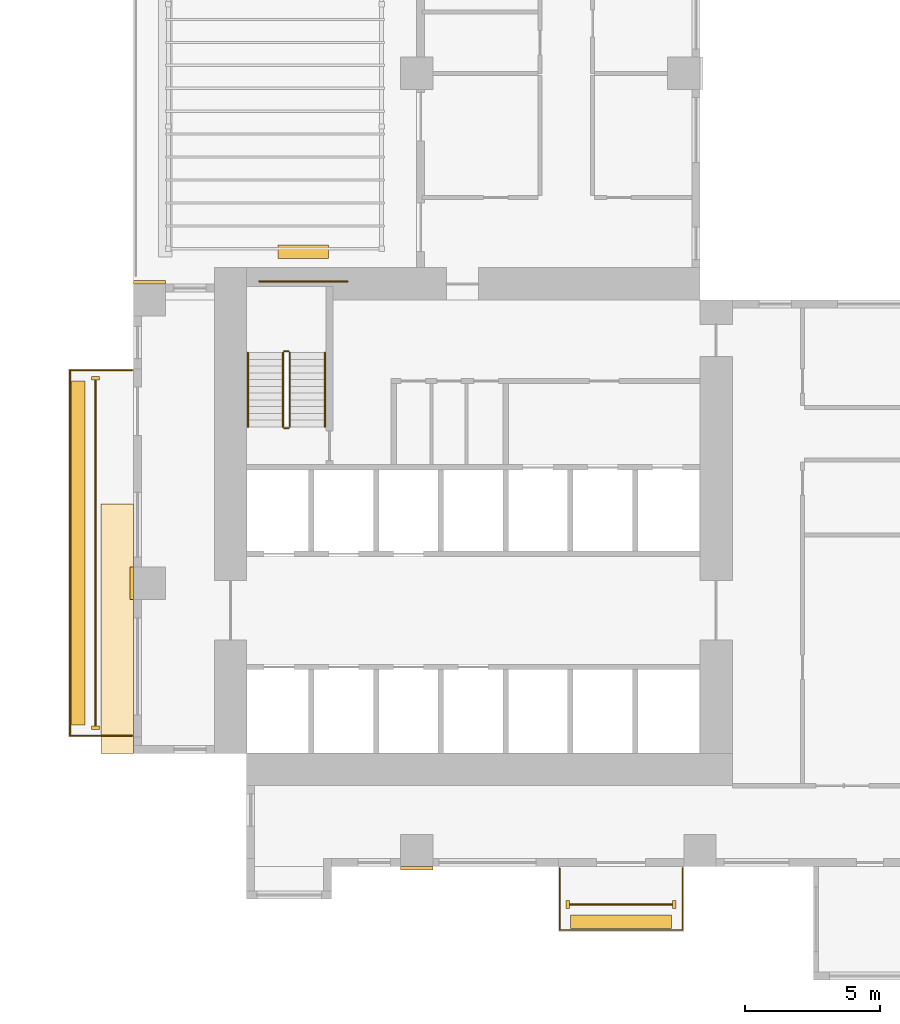
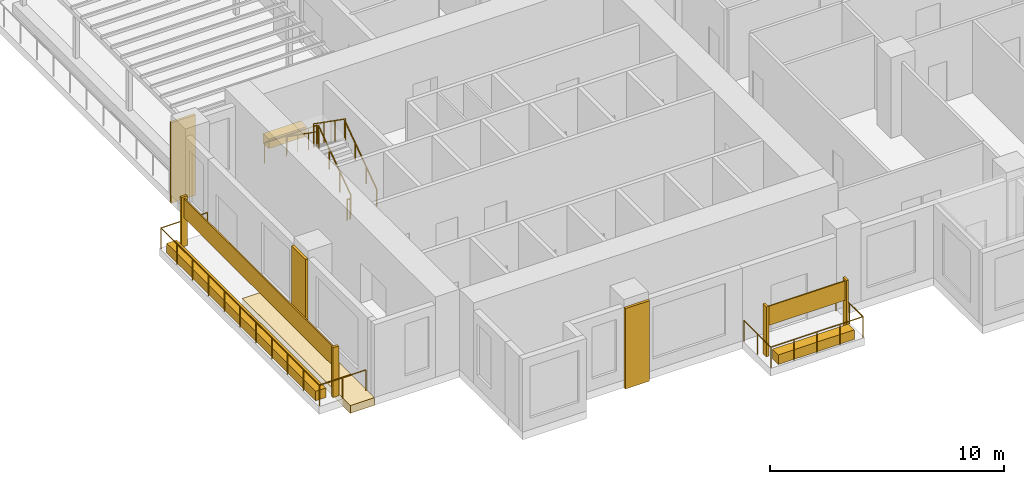
# One storey, part 13 of 17: 13 coverings, 9 railings.
"""IFC4 building model written with IfcOpenShell, lengths in metres."""

from ifc_helpers import new_model, si_unit, direction, frame, origin, origin_2d, place, context, subcontext, project, spatial, polyline, rectangle, circle, outline, extrude, source, transform, mapped, material, type_object, element, save


model = new_model("IFC4")

# Units and contexts
model_context = context("Model", 3, precision=1e-05, world=origin(), true_north=direction((0.0, 1.0)))
body_context = subcontext(model_context, "Body", "Model", "MODEL_VIEW")
ifc_project = project(units=[si_unit("LENGTHUNIT", "METRE"), si_unit("AREAUNIT", "SQUARE_METRE"), si_unit("VOLUMEUNIT", "CUBIC_METRE"), si_unit("PLANEANGLEUNIT", "RADIAN"), si_unit("MASSUNIT", "GRAM", prefix="KILO")], contexts=[model_context])

# Site, building, storey
site_placement = place(None, origin())
site = spatial("IfcSite", under=ifc_project, at=site_placement, CompositionType="ELEMENT")
building_placement = place(site_placement, origin())
building = spatial("IfcBuilding", under=site, at=building_placement, Name="Aurelian Terraces", CompositionType="ELEMENT")
storey_placement = place(building_placement, frame((0.0, 0.0, 69.9)))
storey = spatial("IfcBuildingStorey", under=building, at=storey_placement, Name="L14", CompositionType="ELEMENT", Elevation=69.9)

# Covering
ifc_material_1 = material(Name="Terracotta roof tiles on membrane", Category="masonry")
covering_type_1 = type_object("IfcCoveringType", Name="Bay roof cover", PredefinedType="ROOFING", material=ifc_material_1)
covering_1_placement = place(storey_placement, frame((0.0, 0.0, -0.4)))
element("IfcCovering", 1, at=covering_1_placement, inside=storey, type_object=covering_type_1, Name="Bay roof L14 -1.20_4.20_0.00_13.44", PredefinedType="ROOFING", context=body_context, shape_type="SweptSolid", body=[
    extrude(outline(polyline([(0.0, 4.2), (-1.2, 4.2), (-1.2, 13.44), (0.0, 13.44), (0.0, 4.2)])), origin(), (0.0, 0.0, 1.0), 0.4),
])

# Railings
ifc_material_2 = material(Name="Anodised aluminium", Category="aluminium")
railing_type_1 = type_object("IfcRailingType", Name="GUARD-1100", PredefinedType="GUARDRAIL", material=ifc_material_2)
railing_1_placement = place(storey_placement, frame((-0.05, 18.4, 0.0)))
element("IfcRailing", 2, at=railing_1_placement, inside=storey, type_object=railing_type_1, Name="Balcony guard L14 F18.42", PredefinedType="GUARDRAIL", context=body_context, shape_type="SweptSolid", body=[
    extrude(circle(Radius=0.024, at=origin_2d()), frame((0.0, 0.0, 1.076), z_axis=(-1.0, 0.0, 0.0), x_axis=(0.0, -1.0, 0.0)), (0.0, 0.0, 1.0), 2.3),
    extrude(circle(Radius=0.024, at=origin_2d()), frame((-2.3, 0.0, 1.076), z_axis=(0.0, -1.0, 0.0), x_axis=(1.0, 0.0, 0.0)), (0.0, 0.0, 1.0), 13.55),
    extrude(circle(Radius=0.024, at=origin_2d()), frame((-2.3, -13.55, 1.076), z_axis=(1.0, 0.0, 0.0), x_axis=(0.0, 1.0, 0.0)), (0.0, 0.0, 1.0), 2.3),
    extrude(circle(Radius=0.021, at=origin_2d()), origin(), (0.0, 0.0, 1.0), 1.052),
    extrude(circle(Radius=0.021, at=origin_2d()), frame((-1.15, 0.0, 0.0)), (0.0, 0.0, 1.0), 1.052),
    extrude(circle(Radius=0.021, at=origin_2d()), frame((-2.3, 0.0, 0.0)), (0.0, 0.0, 1.0), 1.052),
    extrude(circle(Radius=0.021, at=origin_2d()), frame((-2.3, -1.355, 0.0)), (0.0, 0.0, 1.0), 1.052),
    extrude(circle(Radius=0.021, at=origin_2d()), frame((-2.3, -2.71, 0.0)), (0.0, 0.0, 1.0), 1.052),
    extrude(circle(Radius=0.021, at=origin_2d()), frame((-2.3, -4.065, 0.0)), (0.0, 0.0, 1.0), 1.052),
    extrude(circle(Radius=0.021, at=origin_2d()), frame((-2.3, -5.42, 0.0)), (0.0, 0.0, 1.0), 1.052),
    extrude(circle(Radius=0.021, at=origin_2d()), frame((-2.3, -6.775, 0.0)), (0.0, 0.0, 1.0), 1.052),
    extrude(circle(Radius=0.021, at=origin_2d()), frame((-2.3, -8.13, 0.0)), (0.0, 0.0, 1.0), 1.052),
    extrude(circle(Radius=0.021, at=origin_2d()), frame((-2.3, -9.485, 0.0)), (0.0, 0.0, 1.0), 1.052),
    extrude(circle(Radius=0.021, at=origin_2d()), frame((-2.3, -10.84, 0.0)), (0.0, 0.0, 1.0), 1.052),
    extrude(circle(Radius=0.021, at=origin_2d()), frame((-2.3, -12.195, 0.0)), (0.0, 0.0, 1.0), 1.052),
    extrude(circle(Radius=0.021, at=origin_2d()), frame((-2.3, -13.55, 0.0)), (0.0, 0.0, 1.0), 1.052),
    extrude(circle(Radius=0.021, at=origin_2d()), frame((-1.15, -13.55, 0.0)), (0.0, 0.0, 1.0), 1.052),
    extrude(circle(Radius=0.021, at=origin_2d()), frame((0.0, -13.55, 0.0)), (0.0, 0.0, 1.0), 1.052),
])
railing_2_placement = place(storey_placement, frame((7.9371, 21.69, 0.0)))
element("IfcRailing", 3, at=railing_2_placement, inside=storey, type_object=railing_type_1, Name="Terrace guard L14 SKY-02-T1.2", PredefinedType="GUARDRAIL", context=body_context, shape_type="SweptSolid", body=[
    extrude(circle(Radius=0.024, at=origin_2d()), frame((0.0, 0.0, 1.076), z_axis=(-1.0, 0.0, 0.0), x_axis=(0.0, -1.0, 0.0)), (0.0, 0.0, 1.0), 3.2742),
    extrude(circle(Radius=0.021, at=origin_2d()), origin(), (0.0, 0.0, 1.0), 1.052),
    extrude(circle(Radius=0.021, at=origin_2d()), frame((-1.0914, 0.0, 0.0)), (0.0, 0.0, 1.0), 1.052),
    extrude(circle(Radius=0.021, at=origin_2d()), frame((-2.1828, 0.0, 0.0)), (0.0, 0.0, 1.0), 1.052),
    extrude(circle(Radius=0.021, at=origin_2d()), frame((-3.2742, 0.0, 0.0)), (0.0, 0.0, 1.0), 1.052),
])

# Coverings
ifc_material_3 = material(Name="Terracotta planter with planting soil", Category="masonry")
covering_type_2 = type_object("IfcCoveringType", Name="PLANTER-TROUGH", PredefinedType="USERDEFINED", material=ifc_material_3)
covering_2_placement = place(storey_placement, frame((-2.05, 11.625, 0.0), z_axis=(0.0, 0.0, 1.0), x_axis=(1.0, 0.0, 0.0)))
element("IfcCovering", 4, at=covering_2_placement, inside=storey, type_object=covering_type_2, Name="PLANTER L14 L14-F18-42", ObjectType="PLANTER", PredefinedType="USERDEFINED", context=body_context, shape_type="SweptSolid", body=[
    extrude(rectangle(XDim=0.5, YDim=12.75, at=origin_2d()), origin(), (0.0, 0.0, 1.0), 0.5),
])
covering_3_placement = place(storey_placement, frame((6.3, 22.79, 0.0), z_axis=(0.0, 0.0, 1.0), x_axis=(1.0, 0.0, 0.0)))
element("IfcCovering", 5, at=covering_3_placement, inside=storey, type_object=covering_type_2, Name="PLANTER L14 terrace SKY-02-T1-1.1", ObjectType="PLANTER", PredefinedType="USERDEFINED", context=body_context, shape_type="SweptSolid", body=[
    extrude(rectangle(XDim=1.8743, YDim=0.5, at=origin_2d()), origin(), (0.0, 0.0, 1.0), 0.5),
])
ifc_material_4 = material(Name="Terracotta rainscreen cladding", Category="masonry")
covering_type_3 = type_object("IfcCoveringType", Name="SCREEN-TC", PredefinedType="CLADDING", material=ifc_material_4)
covering_4_placement = place(storey_placement, frame((-1.4, 11.625, 1.5), z_axis=(0.0, 0.0, 1.0), x_axis=(1.0, 0.0, 0.0)))
element("IfcCovering", 6, at=covering_4_placement, inside=storey, type_object=covering_type_3, Name="SCREEN L14 L14-F18-42", PredefinedType="CLADDING", context=body_context, shape_type="SweptSolid", body=[
    extrude(rectangle(XDim=0.06, YDim=12.83, at=origin_2d()), origin(), (0.0, 0.0, 1.0), 1.0),
])
ifc_material_5 = material(Name="Terracotta rainscreen cladding relief", Category="masonry")
covering_type_4 = type_object("IfcCoveringType", Name="FIN-TC", PredefinedType="CLADDING", material=ifc_material_5)
shared_shape_1 = source(origin(), body_context, "Body", "SweptSolid", [
    extrude(rectangle(XDim=0.3, YDim=0.12, at=origin_2d()), origin(), (0.0, 0.0, 1.0), 2.6),
])
for number, where, z_axis, x_axis, name in (
    (7, (-1.4, 18.1, 0.0), (0.0, 0.0, 1.0), (1.0, 0.0, 0.0), "FIN L14 L14-F18-42.1"),
    (8, (-1.4, 5.15, 0.0), (0.0, 0.0, 1.0), (1.0, 0.0, 0.0), "FIN L14 L14-F18-42.2"),
):
    element("IfcCovering", number, at=place(storey_placement, frame(where, z_axis=z_axis, x_axis=x_axis)), inside=storey, type_object=covering_type_4, Name=name, PredefinedType="CLADDING", context=body_context, shape_type="MappedRepresentation", body=[
        mapped(shared_shape_1, transform((0.0, 0.0, 0.0), scale=1.0)),
    ])
covering_type_5 = type_object("IfcCoveringType", Name="BAGUETTE-TC", PredefinedType="CLADDING", material=ifc_material_5)
shared_shape_2 = source(origin(), body_context, "Body", "SweptSolid", [
    extrude(rectangle(XDim=1.2, YDim=0.12, at=origin_2d()), origin(), (0.0, 0.0, 1.0), 4.2),
])
for number, where, z_axis, x_axis, name in (
    (9, (10.5, -0.06, -0.4), (0.0, 0.0, 1.0), (1.0, 0.0, 0.0), "BAGUETTE pier L14 1"),
    (10, (0.6, 21.66, -0.4), (0.0, 0.0, 1.0), (1.0, 0.0, 0.0), "BAGUETTE pier L14 9"),
):
    element("IfcCovering", number, at=place(storey_placement, frame(where, z_axis=z_axis, x_axis=x_axis)), inside=storey, type_object=covering_type_5, Name=name, PredefinedType="CLADDING", context=body_context, shape_type="MappedRepresentation", body=[
        mapped(shared_shape_2, transform((0.0, 0.0, 0.0), scale=1.0)),
    ])
shared_shape_3 = source(origin(), body_context, "Body", "SweptSolid", [
    extrude(rectangle(XDim=0.12, YDim=1.2, at=origin_2d()), origin(), (0.0, 0.0, 1.0), 4.2),
])
covering_5_placement = place(storey_placement, frame((-0.06, 10.5, -0.4), z_axis=(0.0, 0.0, 1.0), x_axis=(1.0, 0.0, 0.0)))
element("IfcCovering", 11, at=covering_5_placement, inside=storey, type_object=covering_type_5, Name="BAGUETTE pier L14 5", PredefinedType="CLADDING", context=body_context, shape_type="MappedRepresentation", body=[
    mapped(shared_shape_3, transform((0.0, 0.0, 0.0), scale=1.0)),
])
shared_shape_4 = source(origin(), body_context, "Body", "SweptSolid", [
    extrude(rectangle(XDim=0.12, YDim=0.3, at=origin_2d()), origin(), (0.0, 0.0, 1.0), 2.6),
])
for number, where, z_axis, x_axis, name in (
    (12, (16.1, -1.4, 0.0), (0.0, 0.0, 1.0), (1.0, 0.0, 0.0), "FIN L14 L14-F01-04.1"),
    (13, (20.05, -1.4, 0.0), (0.0, 0.0, 1.0), (1.0, 0.0, 0.0), "FIN L14 L14-F01-04.2"),
):
    element("IfcCovering", number, at=place(storey_placement, frame(where, z_axis=z_axis, x_axis=x_axis)), inside=storey, type_object=covering_type_4, Name=name, PredefinedType="CLADDING", context=body_context, shape_type="MappedRepresentation", body=[
        mapped(shared_shape_4, transform((0.0, 0.0, 0.0), scale=1.0)),
    ])

# Railing
shared_shape_5 = source(origin(), body_context, "Body", "SweptSolid", [
    extrude(circle(Radius=0.024, at=origin_2d()), frame((0.0, 0.0, 1.076), z_axis=(0.0, -1.0, 0.0), x_axis=(1.0, 0.0, 0.0)), (0.0, 0.0, 1.0), 2.3),
    extrude(circle(Radius=0.024, at=origin_2d()), frame((0.0, -2.3, 1.076), z_axis=(1.0, 0.0, 0.0), x_axis=(0.0, 1.0, 0.0)), (0.0, 0.0, 1.0), 4.55),
    extrude(circle(Radius=0.024, at=origin_2d()), frame((4.55, -2.3, 1.076), z_axis=(0.0, 1.0, 0.0), x_axis=(-1.0, 0.0, 0.0)), (0.0, 0.0, 1.0), 2.3),
    extrude(circle(Radius=0.021, at=origin_2d()), origin(), (0.0, 0.0, 1.0), 1.052),
    extrude(circle(Radius=0.021, at=origin_2d()), frame((0.0, -1.15, 0.0)), (0.0, 0.0, 1.0), 1.052),
    extrude(circle(Radius=0.021, at=origin_2d()), frame((0.0, -2.3, 0.0)), (0.0, 0.0, 1.0), 1.052),
    extrude(circle(Radius=0.021, at=origin_2d()), frame((1.1375, -2.3, 0.0)), (0.0, 0.0, 1.0), 1.052),
    extrude(circle(Radius=0.021, at=origin_2d()), frame((2.275, -2.3, 0.0)), (0.0, 0.0, 1.0), 1.052),
    extrude(circle(Radius=0.021, at=origin_2d()), frame((3.4125, -2.3, 0.0)), (0.0, 0.0, 1.0), 1.052),
    extrude(circle(Radius=0.021, at=origin_2d()), frame((4.55, -2.3, 0.0)), (0.0, 0.0, 1.0), 1.052),
    extrude(circle(Radius=0.021, at=origin_2d()), frame((4.55, -1.15, 0.0)), (0.0, 0.0, 1.0), 1.052),
    extrude(circle(Radius=0.021, at=origin_2d()), frame((4.55, 0.0, 0.0)), (0.0, 0.0, 1.0), 1.052),
])
railing_3_placement = place(storey_placement, frame((15.8, -0.05, 0.0)))
element("IfcRailing", 14, at=railing_3_placement, inside=storey, type_object=railing_type_1, Name="Balcony guard L14 F01.4", PredefinedType="GUARDRAIL", context=body_context, shape_type="MappedRepresentation", body=[
    mapped(shared_shape_5, transform((0.0, 0.0, 0.0), scale=1.0)),
])

# Coverings
shared_shape_6 = source(origin(), body_context, "Body", "SweptSolid", [
    extrude(rectangle(XDim=3.75, YDim=0.5, at=origin_2d()), origin(), (0.0, 0.0, 1.0), 0.5),
])
covering_6_placement = place(storey_placement, frame((18.075, -2.05, 0.0), z_axis=(0.0, 0.0, 1.0), x_axis=(1.0, 0.0, 0.0)))
element("IfcCovering", 15, at=covering_6_placement, inside=storey, type_object=covering_type_2, Name="PLANTER L14 L14-F01-04", ObjectType="PLANTER", PredefinedType="USERDEFINED", context=body_context, shape_type="MappedRepresentation", body=[
    mapped(shared_shape_6, transform((0.0, 0.0, 0.0), scale=1.0)),
])
shared_shape_7 = source(origin(), body_context, "Body", "SweptSolid", [
    extrude(rectangle(XDim=3.83, YDim=0.06, at=origin_2d()), origin(), (0.0, 0.0, 1.0), 1.0),
])
covering_7_placement = place(storey_placement, frame((18.075, -1.4, 1.5), z_axis=(0.0, 0.0, 1.0), x_axis=(1.0, 0.0, 0.0)))
element("IfcCovering", 16, at=covering_7_placement, inside=storey, type_object=covering_type_3, Name="SCREEN L14 L14-F01-04", PredefinedType="CLADDING", context=body_context, shape_type="MappedRepresentation", body=[
    mapped(shared_shape_7, transform((0.0, 0.0, 0.0), scale=1.0)),
])

# Railings
ifc_material_6 = material(Name="Stainless steel", Category="steel")
railing_type_2 = type_object("IfcRailingType", Name="Stair guard 1100", PredefinedType="GUARDRAIL", material=ifc_material_6)
shared_shape_8 = source(origin(), body_context, "Body", "SweptSolid", [
    extrude(circle(Radius=0.024, at=origin_2d()), frame((0.0, 0.0, 1.076), z_axis=(-1.0, 0.0, 0.0), x_axis=(0.0, -1.0, 0.0)), (0.0, 0.0, 1.0), 0.15),
    extrude(circle(Radius=0.021, at=origin_2d()), origin(), (0.0, 0.0, 1.0), 1.052),
    extrude(circle(Radius=0.021, at=origin_2d()), frame((-0.15, 0.0, 0.0)), (0.0, 0.0, 1.0), 1.052),
])
for number, where, name in (
    (17, (5.75, 19.1, 2.1), "L14 S1 stair guard 2"),
    (18, (5.75, 16.25, 0.0), "L14 S1 stair guard 4"),
):
    element("IfcRailing", number, at=place(storey_placement, frame(where)), inside=storey, type_object=railing_type_2, Name=name, PredefinedType="GUARDRAIL", context=body_context, shape_type="MappedRepresentation", body=[
        mapped(shared_shape_8, transform((0.0, 0.0, 0.0), scale=1.0)),
    ])
shared_shape_9 = source(origin(), body_context, "Body", "SweptSolid", [
    extrude(circle(Radius=0.024, at=origin_2d()), frame((0.0, 0.0, 1.076), z_axis=(0.0, 0.819231920519, 0.573462344363), x_axis=(-1.0, 0.0, 0.0)), (0.0, 0.0, 1.0), 3.3568),
    extrude(circle(Radius=0.021, at=origin_2d()), origin(), (0.0, 0.0, 1.0), 1.052),
    extrude(circle(Radius=0.021, at=origin_2d()), frame((0.0, 0.9167, 0.6417)), (0.0, 0.0, 1.0), 1.052),
    extrude(circle(Radius=0.021, at=origin_2d()), frame((0.0, 1.8333, 1.2833)), (0.0, 0.0, 1.0), 1.052),
    extrude(circle(Radius=0.021, at=origin_2d()), frame((0.0, 2.75, 1.925)), (0.0, 0.0, 1.0), 1.052),
])
railing_4_placement = place(storey_placement, frame((5.8, 16.3, 0.175)))
element("IfcRailing", 19, at=railing_4_placement, inside=storey, type_object=railing_type_2, Name="L14 S1 stair guard 1", PredefinedType="GUARDRAIL", context=body_context, shape_type="MappedRepresentation", body=[
    mapped(shared_shape_9, transform((0.0, 0.0, 0.0), scale=1.0)),
])
shared_shape_10 = source(origin(), body_context, "Body", "SweptSolid", [
    extrude(circle(Radius=0.024, at=origin_2d()), frame((0.0, 0.0, 1.076), z_axis=(0.0, -0.819231920519, 0.573462344363), x_axis=(1.0, 0.0, 0.0)), (0.0, 0.0, 1.0), 3.3568),
    extrude(circle(Radius=0.021, at=origin_2d()), origin(), (0.0, 0.0, 1.0), 1.052),
    extrude(circle(Radius=0.021, at=origin_2d()), frame((0.0, -0.9167, 0.6417)), (0.0, 0.0, 1.0), 1.052),
    extrude(circle(Radius=0.021, at=origin_2d()), frame((0.0, -1.8333, 1.2833)), (0.0, 0.0, 1.0), 1.052),
    extrude(circle(Radius=0.021, at=origin_2d()), frame((0.0, -2.75, 1.925)), (0.0, 0.0, 1.0), 1.052),
])
railing_5_placement = place(storey_placement, frame((5.55, 19.05, 2.275)))
element("IfcRailing", 20, at=railing_5_placement, inside=storey, type_object=railing_type_2, Name="L14 S1 stair guard 3", PredefinedType="GUARDRAIL", context=body_context, shape_type="MappedRepresentation", body=[
    mapped(shared_shape_10, transform((0.0, 0.0, 0.0), scale=1.0)),
])
railing_type_3 = type_object("IfcRailingType", Name="Stair handrail", PredefinedType="HANDRAIL", material=ifc_material_6)
shared_shape_11 = source(origin(), body_context, "Body", "SweptSolid", [
    extrude(circle(Radius=0.024, at=origin_2d()), frame((0.0, 0.0, 0.876), z_axis=(0.0, 0.819231920519, 0.573462344363), x_axis=(-1.0, 0.0, 0.0)), (0.0, 0.0, 1.0), 3.3568),
    extrude(circle(Radius=0.021, at=origin_2d()), origin(), (0.0, 0.0, 1.0), 0.852),
    extrude(circle(Radius=0.021, at=origin_2d()), frame((0.0, 0.9167, 0.6417)), (0.0, 0.0, 1.0), 0.852),
    extrude(circle(Radius=0.021, at=origin_2d()), frame((0.0, 1.8333, 1.2833)), (0.0, 0.0, 1.0), 0.852),
    extrude(circle(Radius=0.021, at=origin_2d()), frame((0.0, 2.75, 1.925)), (0.0, 0.0, 1.0), 0.852),
])
railing_6_placement = place(storey_placement, frame((7.1, 16.3, 0.175)))
element("IfcRailing", 21, at=railing_6_placement, inside=storey, type_object=railing_type_3, Name="L14 S1 stair handrail 1", PredefinedType="HANDRAIL", context=body_context, shape_type="MappedRepresentation", body=[
    mapped(shared_shape_11, transform((0.0, 0.0, 0.0), scale=1.0)),
])
shared_shape_12 = source(origin(), body_context, "Body", "SweptSolid", [
    extrude(circle(Radius=0.024, at=origin_2d()), frame((0.0, 0.0, 0.876), z_axis=(0.0, -0.819231920519, 0.573462344363), x_axis=(1.0, 0.0, 0.0)), (0.0, 0.0, 1.0), 3.3568),
    extrude(circle(Radius=0.021, at=origin_2d()), origin(), (0.0, 0.0, 1.0), 0.852),
    extrude(circle(Radius=0.021, at=origin_2d()), frame((0.0, -0.9167, 0.6417)), (0.0, 0.0, 1.0), 0.852),
    extrude(circle(Radius=0.021, at=origin_2d()), frame((0.0, -1.8333, 1.2833)), (0.0, 0.0, 1.0), 0.852),
    extrude(circle(Radius=0.021, at=origin_2d()), frame((0.0, -2.75, 1.925)), (0.0, 0.0, 1.0), 0.852),
])
railing_7_placement = place(storey_placement, frame((4.25, 19.05, 2.275)))
element("IfcRailing", 22, at=railing_7_placement, inside=storey, type_object=railing_type_3, Name="L14 S1 stair handrail 2", PredefinedType="HANDRAIL", context=body_context, shape_type="MappedRepresentation", body=[
    mapped(shared_shape_12, transform((0.0, 0.0, 0.0), scale=1.0)),
])

save(model, "model.ifc")
